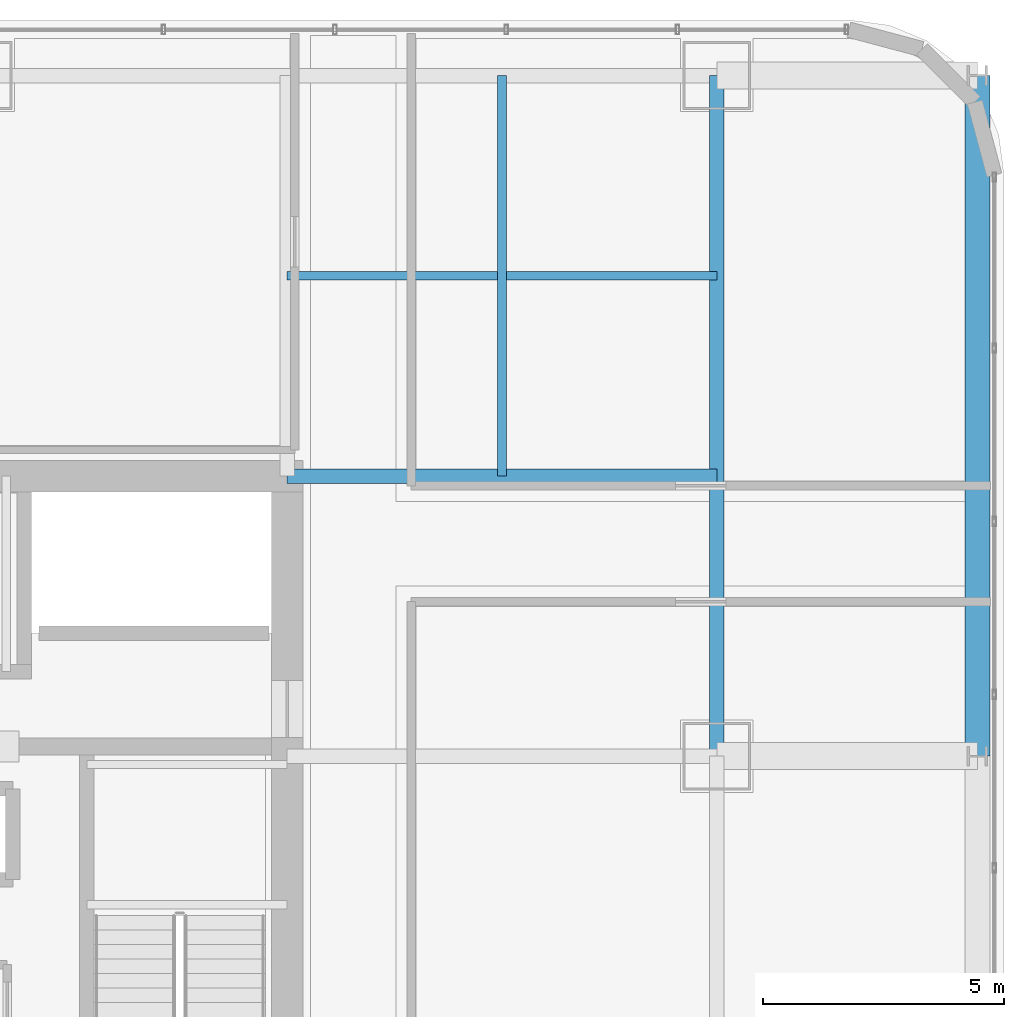
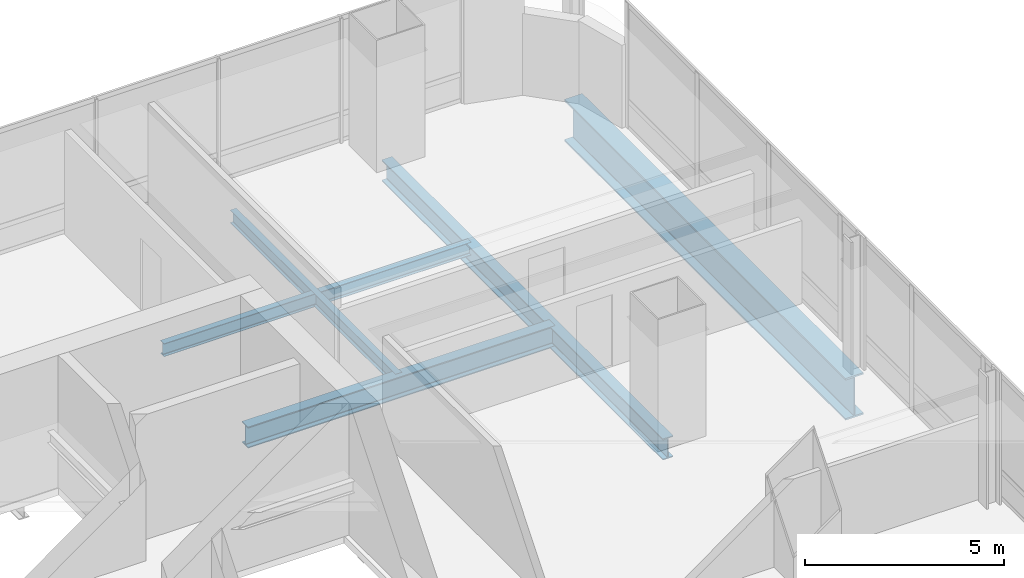
# One storey, part 26 of 37: 5 beams.
"""IFC4 building model written with IfcOpenShell, lengths in metres."""

from ifc_helpers import new_model, si_unit, direction, frame, origin, origin_2d, place, context, subcontext, project, spatial, i_section, extrude, material, material_profile, profile_set, type_object, element, save


model = new_model("IFC4")

# Units and contexts
model_context = context("Model", 3, precision=1e-05, world=origin(), true_north=direction((0.0, 1.0)))
body_context = subcontext(model_context, "Body", "Model", "MODEL_VIEW")
ifc_project = project(units=[si_unit("LENGTHUNIT", "METRE"), si_unit("AREAUNIT", "SQUARE_METRE"), si_unit("VOLUMEUNIT", "CUBIC_METRE"), si_unit("PLANEANGLEUNIT", "RADIAN"), si_unit("MASSUNIT", "GRAM", prefix="KILO")], contexts=[model_context])

# Site, building, storey
site_placement = place(None, origin())
site = spatial("IfcSite", under=ifc_project, at=site_placement, CompositionType="ELEMENT")
building_placement = place(site_placement, origin())
building = spatial("IfcBuilding", under=site, at=building_placement, Name="Punatoya Terracotta Tower", CompositionType="ELEMENT")
storey_placement = place(building_placement, frame((0.0, 0.0, 224.85009765625)))
storey = spatial("IfcBuildingStorey", under=building, at=storey_placement, Name="L53", CompositionType="ELEMENT", Elevation=224.85009765625)

# Beams
ifc_material_1 = material(Name="Steel S355", Category="steel")
ifc_material_profile_1 = material_profile(ifc_material_1, i_section(OverallWidth=0.300048828125, OverallDepth=0.64990234375, WebThickness=0.01611328125, FlangeThickness=0.031005859375, FilletRadius=0.01806640625, at=origin_2d()))
ifc_profile_set_1 = profile_set([ifc_material_profile_1], Name="Steel S355")
beam_type_1 = type_object("IfcBeamType", Name="BM-PRI-650", PredefinedType="BEAM", material=ifc_profile_set_1)
beam_1_placement = place(storey_placement, frame((19.10009765625, 3.39990234375, -0.545166015625), z_axis=(0.0, 1.0, 0.0), x_axis=(-1.0, 0.0, 0.0)))
element("IfcBeam", 1, at=beam_1_placement, inside=storey, type_object=beam_type_1, Name="BM-L53-RG-E3", PredefinedType="BEAM", context=body_context, shape_type="SweptSolid", body=[
    extrude(i_section(OverallWidth=0.300048828125, OverallDepth=0.64990234375, WebThickness=0.01611328125, FlangeThickness=0.031005859375, FilletRadius=0.01806640625, at=origin_2d()), origin(), (0.0, 0.0, 1.0), 14.10009765625),
])
beam_2_placement = place(storey_placement, frame((10.199951171875, 9.199951171875, -0.545166015625), z_axis=(1.0, 0.0, 0.0), x_axis=(0.0, 1.0, 0.0)))
element("IfcBeam", 2, at=beam_2_placement, inside=storey, type_object=beam_type_1, Name="BM-L53-PR-EN", PredefinedType="BEAM", context=body_context, shape_type="SweptSolid", body=[
    extrude(i_section(OverallWidth=0.300048828125, OverallDepth=0.64990234375, WebThickness=0.01611328125, FlangeThickness=0.031005859375, FilletRadius=0.01806640625, at=origin_2d()), origin(), (0.0, 0.0, 1.0), 8.900146484375),
])
ifc_material_profile_2 = material_profile(ifc_material_1, i_section(OverallWidth=0.179931640625, OverallDepth=0.39990234375, WebThickness=0.008544921875, FlangeThickness=0.013427734375, FilletRadius=0.01806640625, at=origin_2d()))
ifc_profile_set_2 = profile_set([ifc_material_profile_2], Name="Steel S355")
beam_type_2 = type_object("IfcBeamType", Name="BM-SEC-400", PredefinedType="JOIST", material=ifc_profile_set_2)
beam_3_placement = place(storey_placement, frame((10.199951171875, 13.35009765625, -0.420166015625), z_axis=(1.0, 0.0, 0.0), x_axis=(0.0, 1.0, 0.0)))
element("IfcBeam", 3, at=beam_3_placement, inside=storey, type_object=beam_type_2, Name="BM-L53-SJN-2", PredefinedType="JOIST", context=body_context, shape_type="SweptSolid", body=[
    extrude(i_section(OverallWidth=0.179931640625, OverallDepth=0.39990234375, WebThickness=0.008544921875, FlangeThickness=0.013427734375, FilletRadius=0.01806640625, at=origin_2d()), origin(), (0.0, 0.0, 1.0), 8.900146484375),
])
beam_4_placement = place(storey_placement, frame((14.64990234375, 9.199951171875, -0.420166015625), z_axis=(0.0, 1.0, 0.0), x_axis=(-1.0, 0.0, 0.0)))
element("IfcBeam", 4, at=beam_4_placement, inside=storey, type_object=beam_type_2, Name="BM-L53-SJE-2", PredefinedType="JOIST", context=body_context, shape_type="SweptSolid", body=[
    extrude(i_section(OverallWidth=0.179931640625, OverallDepth=0.39990234375, WebThickness=0.008544921875, FlangeThickness=0.013427734375, FilletRadius=0.01806640625, at=origin_2d()), origin(), (0.0, 0.0, 1.0), 8.300048828125),
])
ifc_material_2 = material(Name="Steel S460", Category="steel")
ifc_material_profile_3 = material_profile(ifc_material_2, i_section(OverallWidth=0.52001953125, OverallDepth=1.280029296875, WebThickness=0.031982421875, FlangeThickness=0.050048828125, FilletRadius=0.01806640625, at=origin_2d()))
ifc_profile_set_3 = profile_set([ifc_material_profile_3], Name="Steel S460")
beam_type_3 = type_object("IfcBeamType", Name="BM-TG-NCK", PredefinedType="BEAM", material=ifc_profile_set_3)
beam_5_placement = place(storey_placement, frame((24.5, 3.39990234375, -0.860107421875), z_axis=(0.0, 1.0, 0.0), x_axis=(-1.0, 0.0, 0.0)))
element("IfcBeam", 5, at=beam_5_placement, inside=storey, type_object=beam_type_3, Name="BM-L53-PER-E2", PredefinedType="BEAM", context=body_context, shape_type="SweptSolid", body=[
    extrude(i_section(OverallWidth=0.52001953125, OverallDepth=1.280029296875, WebThickness=0.031982421875, FlangeThickness=0.050048828125, FilletRadius=0.01806640625, at=origin_2d()), origin(), (0.0, 0.0, 1.0), 14.10009765625),
])

save(model, "model.ifc")
